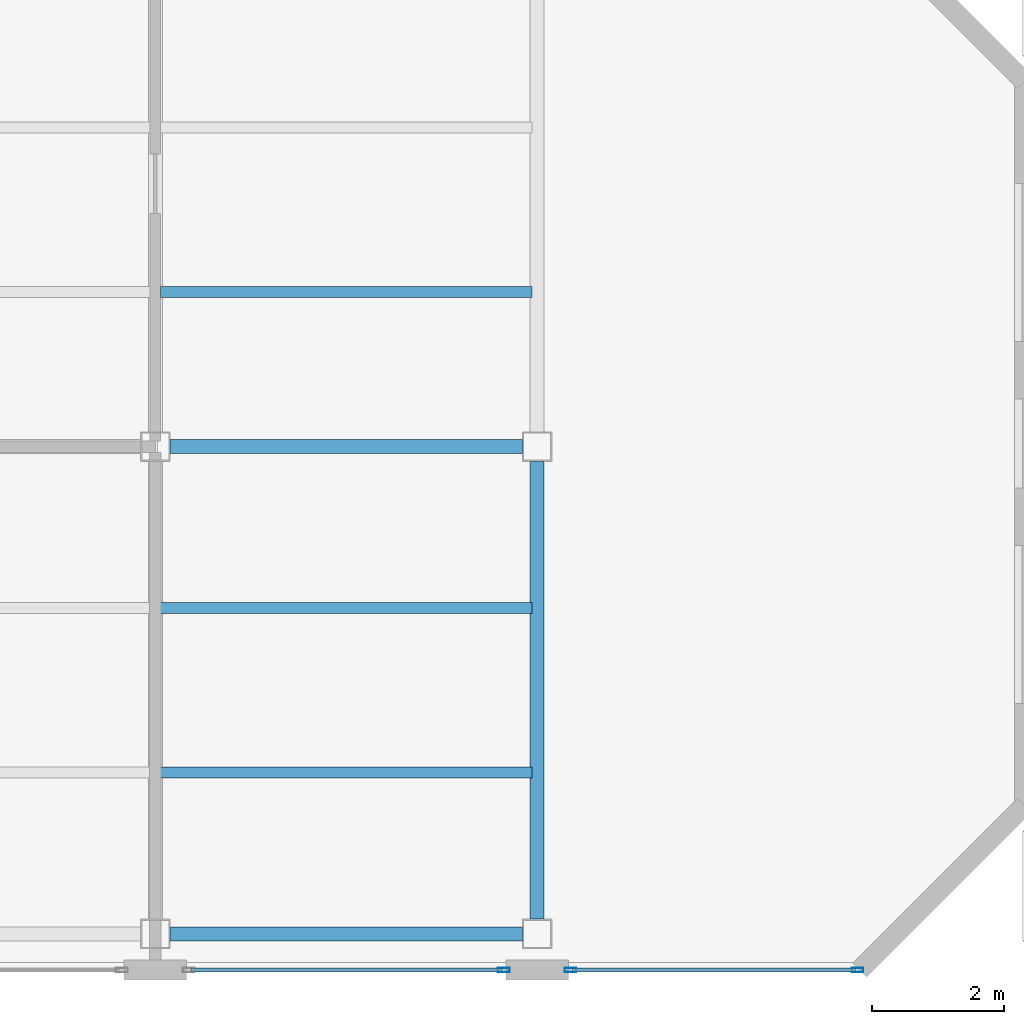
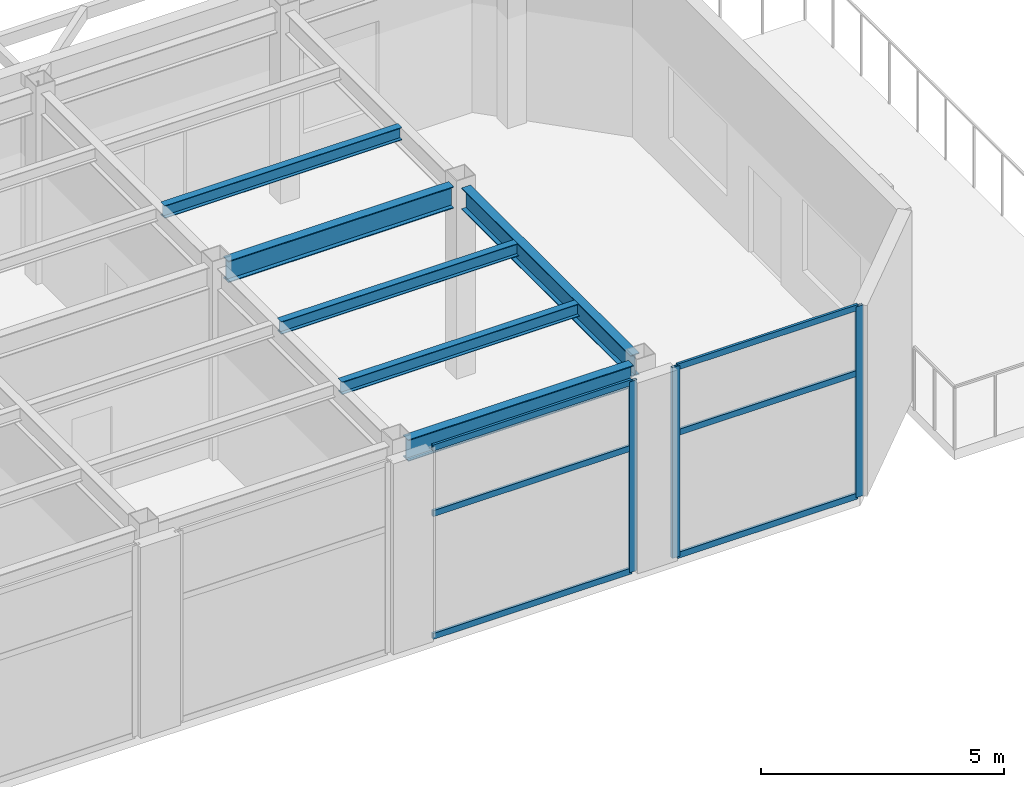
# One storey, part 8 of 16: 9 members, 6 beams, 2 elements without a shape of their own.
"""IFC4 building model written with IfcOpenShell, lengths in metres."""

from ifc_helpers import new_model, si_unit, direction, frame, origin, origin_2d, place, context, subcontext, project, spatial, hollow_rectangle, i_section, extrude, material, layer, layer_set, material_profile, profile_set, type_object, element, aggregate, save


model = new_model("IFC4")

# Units and contexts
model_context = context("Model", 3, precision=1e-05, world=origin(), true_north=direction((0.0, 1.0)))
body_context = subcontext(model_context, "Body", "Model", "MODEL_VIEW")
ifc_project = project(units=[si_unit("LENGTHUNIT", "METRE"), si_unit("AREAUNIT", "SQUARE_METRE"), si_unit("VOLUMEUNIT", "CUBIC_METRE"), si_unit("PLANEANGLEUNIT", "RADIAN"), si_unit("MASSUNIT", "GRAM", prefix="KILO")], contexts=[model_context])

# Site, building, storey
site_placement = place(None, origin())
site = spatial("IfcSite", under=ifc_project, at=site_placement, CompositionType="ELEMENT")
building_placement = place(site_placement, origin())
building = spatial("IfcBuilding", under=site, at=building_placement, Name="Mawjaban Terraces University", CompositionType="ELEMENT")
storey_placement = place(building_placement, frame((0.0, 0.0, 170.800048828125)))
storey = spatial("IfcBuildingStorey", under=building, at=storey_placement, Name="L41", CompositionType="ELEMENT", Elevation=170.800048828125)

# Beams
ifc_material_1 = material(Name="Steel ASTM A572 Grade 50", Category="steel")
ifc_material_profile_1 = material_profile(ifc_material_1, i_section(OverallWidth=0.2119140625, OverallDepth=0.5439453125, WebThickness=0.01318359375, FlangeThickness=0.021240234375, at=origin_2d()), Name="W530X123")
ifc_profile_set_1 = profile_set([ifc_material_profile_1], Name="Steel ASTM A572 Grade 50")
beam_type_1 = type_object("IfcBeamType", Name="Beam_B_W530X123", PredefinedType="BEAM", material=ifc_profile_set_1)
for number, where, z_axis, x_axis, name in (
    (1, (52.22509765625, 0.550048828125, 4.51806640625), (1.0, 0.0, 0.0), (0.0, 1.0, 0.0), "L41 Beam BM-L41-EW-03"),
    (2, (52.22509765625, 7.949951171875, 4.51806640625), (1.0, 0.0, 0.0), (0.0, 1.0, 0.0), "L41 Beam BM-L41-EW-06"),
):
    element("IfcBeam", number, at=place(storey_placement, frame(where, z_axis=z_axis, x_axis=x_axis)), inside=storey, type_object=beam_type_1, Name=name, PredefinedType="BEAM", context=body_context, shape_type="SweptSolid", body=[
        extrude(i_section(OverallWidth=0.2119140625, OverallDepth=0.5439453125, WebThickness=0.01318359375, FlangeThickness=0.021240234375, at=origin_2d()), origin(), (0.0, 0.0, 1.0), 5.349853515625),
    ])
beam_placement = place(storey_placement, frame((57.800048828125, 0.77490234375, 4.51806640625), z_axis=(0.0, 1.0, 0.0), x_axis=(-1.0, 0.0, 0.0)))
element("IfcBeam", 3, at=beam_placement, inside=storey, type_object=beam_type_1, Name="L41 Beam BM-L41-NS-14", PredefinedType="BEAM", context=body_context, shape_type="SweptSolid", body=[
    extrude(i_section(OverallWidth=0.2119140625, OverallDepth=0.5439453125, WebThickness=0.01318359375, FlangeThickness=0.021240234375, at=origin_2d()), origin(), (0.0, 0.0, 1.0), 6.9501953125),
])
ifc_material_profile_2 = material_profile(ifc_material_1, i_section(OverallWidth=0.1669921875, OverallDepth=0.318115234375, WebThickness=0.007568359375, FlangeThickness=0.01318359375, at=origin_2d()), Name="W310X52")
ifc_profile_set_2 = profile_set([ifc_material_profile_2], Name="Steel ASTM A572 Grade 50")
beam_type_2 = type_object("IfcBeamType", Name="Beam_J_W310X52", PredefinedType="JOIST", material=ifc_profile_set_2)
for number, where, z_axis, x_axis, name in (
    (4, (52.080078125, 3.0, 4.630859375), (1.0, 0.0, 0.0), (0.0, 1.0, 0.0), "L41 Composite Joist JST-L41-03"),
    (5, (52.080078125, 5.5, 4.630859375), (1.0, 0.0, 0.0), (0.0, 1.0, 0.0), "L41 Composite Joist JST-L41-06"),
    (6, (52.080078125, 10.300048828125, 4.630859375), (1.0, 0.0, 0.0), (0.0, 1.0, 0.0), "L41 Composite Joist JST-L41-09"),
):
    element("IfcBeam", number, at=place(storey_placement, frame(where, z_axis=z_axis, x_axis=x_axis)), inside=storey, type_object=beam_type_2, Name=name, PredefinedType="JOIST", context=body_context, shape_type="SweptSolid", body=[
        extrude(i_section(OverallWidth=0.1669921875, OverallDepth=0.318115234375, WebThickness=0.007568359375, FlangeThickness=0.01318359375, at=origin_2d()), origin(), (0.0, 0.0, 1.0), 5.639892578125),
    ])

# Curtain wall, member
ifc_material_2 = material(Name="Anodised aluminium 6063-T6 and solar-control low-E glass", Category="aluminium")
ifc_layer = layer(ifc_material_2, 0.18994140625)
ifc_layer_set = layer_set([ifc_layer], Name="Anodised aluminium 6063-T6 and solar-control low-E glass")
curtain_wall_type = type_object("IfcCurtainWallType", Name="CWSystem_05_SkyLobby", PredefinedType="NOTDEFINED", material=ifc_layer_set)
curtain_wall_1_placement = place(storey_placement, origin())
curtain_wall_1 = element("IfcCurtainWall", 7, at=curtain_wall_1_placement, inside=storey, type_object=curtain_wall_type, Name="L41 Curtain Wall CW-05 Run 1.4", PredefinedType="NOTDEFINED")
ifc_material_3 = material(Name="Anodised aluminium 6063-T6", Category="aluminium")
ifc_material_profile_3 = material_profile(ifc_material_3, hollow_rectangle(XDim=0.06494140625, YDim=0.179931640625, WallThickness=0.00390625, at=origin_2d()), Name="ALU180X65X4")
ifc_profile_set_3 = profile_set([ifc_material_profile_3], Name="Anodised aluminium 6063-T6")
member_type_1 = type_object("IfcMemberType", Name="Mullion_CW-05", PredefinedType="MULLION", material=ifc_profile_set_3)
member_1_placement = place(storey_placement, frame((57.29248046875, 0.0, 0.0), z_axis=(0.0, 0.0, 1.0), x_axis=(0.0, 1.0, 0.0)))
member_1 = element("IfcMember", 8, at=member_1_placement, type_object=member_type_1, Name="CW-05 mullion 2", PredefinedType="MULLION", context=body_context, shape_type="SweptSolid", body=[
    extrude(hollow_rectangle(XDim=0.06494140625, YDim=0.179931640625, WallThickness=0.00390625, at=origin_2d()), origin(), (0.0, 0.0, 1.0), 4.7900390625),
])

# Curtain wall, members
curtain_wall_2_placement = place(storey_placement, origin())
curtain_wall_2 = element("IfcCurtainWall", 9, at=curtain_wall_2_placement, inside=storey, type_object=curtain_wall_type, Name="L41 Curtain Wall CW-05 Run 1.5", PredefinedType="NOTDEFINED")
member_2_placement = place(storey_placement, frame((58.3076171875, 0.0, 0.0), z_axis=(0.0, 0.0, 1.0), x_axis=(0.0, 1.0, 0.0)))
member_2 = element("IfcMember", 10, at=member_2_placement, type_object=member_type_1, Name="CW-05 mullion 1", PredefinedType="MULLION", context=body_context, shape_type="SweptSolid", body=[
    extrude(hollow_rectangle(XDim=0.06494140625, YDim=0.179931640625, WallThickness=0.00390625, at=origin_2d()), origin(), (0.0, 0.0, 1.0), 4.7900390625),
])
member_3_placement = place(storey_placement, frame((62.66748046875, 0.0, 0.0), z_axis=(0.0, 0.0, 1.0), x_axis=(0.0, 1.0, 0.0)))
member_3 = element("IfcMember", 11, at=member_3_placement, type_object=member_type_1, Name="CW-05 mullion 2", PredefinedType="MULLION", context=body_context, shape_type="SweptSolid", body=[
    extrude(hollow_rectangle(XDim=0.06494140625, YDim=0.179931640625, WallThickness=0.00390625, at=origin_2d()), origin(), (0.0, 0.0, 1.0), 4.7900390625),
])

# Member
ifc_material_profile_4 = material_profile(ifc_material_3, hollow_rectangle(XDim=0.06005859375, YDim=0.14990234375, WallThickness=0.00390625, at=origin_2d()), Name="ALU150X60X4")
ifc_profile_set_4 = profile_set([ifc_material_profile_4], Name="Anodised aluminium 6063-T6")
member_type_2 = type_object("IfcMemberType", Name="Transom_CW-05", PredefinedType="NOTDEFINED", material=ifc_profile_set_4)
member_4_placement = place(storey_placement, frame((52.5400390625, 0.0, 0.030029296875), z_axis=(1.0, 0.0, 0.0), x_axis=(0.0, 1.0, 0.0)))
member_4 = element("IfcMember", 12, at=member_4_placement, type_object=member_type_2, Name="CW-05 transom 1.1", ObjectType="TRANSOM", PredefinedType="USERDEFINED", context=body_context, shape_type="SweptSolid", body=[
    extrude(hollow_rectangle(XDim=0.06005859375, YDim=0.14990234375, WallThickness=0.00390625, at=origin_2d()), origin(), (0.0, 0.0, 1.0), 4.719970703125),
])

member_5_placement = place(storey_placement, frame((52.5400390625, 0.0, 3.113037109375), z_axis=(1.0, 0.0, 0.0), x_axis=(0.0, 1.0, 0.0)))
member_5 = element("IfcMember", 13, at=member_5_placement, type_object=member_type_2, Name="CW-05 transom 1.2", ObjectType="TRANSOM", PredefinedType="USERDEFINED", context=body_context, shape_type="SweptSolid", body=[
    extrude(hollow_rectangle(XDim=0.06005859375, YDim=0.14990234375, WallThickness=0.00390625, at=origin_2d()), origin(), (0.0, 0.0, 1.0), 4.719970703125),
])

member_6_placement = place(storey_placement, frame((52.5400390625, 0.0, 4.760009765625), z_axis=(1.0, 0.0, 0.0), x_axis=(0.0, 1.0, 0.0)))
member_6 = element("IfcMember", 14, at=member_6_placement, type_object=member_type_2, Name="CW-05 transom 1.3", ObjectType="TRANSOM", PredefinedType="USERDEFINED", context=body_context, shape_type="SweptSolid", body=[
    extrude(hollow_rectangle(XDim=0.06005859375, YDim=0.14990234375, WallThickness=0.00390625, at=origin_2d()), origin(), (0.0, 0.0, 1.0), 4.719970703125),
])

aggregate(curtain_wall_1, [member_1, member_4, member_5, member_6])

member_7_placement = place(storey_placement, frame((58.340087890625, 0.0, 0.030029296875), z_axis=(1.0, 0.0, 0.0), x_axis=(0.0, 1.0, 0.0)))
member_7 = element("IfcMember", 15, at=member_7_placement, type_object=member_type_2, Name="CW-05 transom 1.1", ObjectType="TRANSOM", PredefinedType="USERDEFINED", context=body_context, shape_type="SweptSolid", body=[
    extrude(hollow_rectangle(XDim=0.06005859375, YDim=0.14990234375, WallThickness=0.00390625, at=origin_2d()), origin(), (0.0, 0.0, 1.0), 4.294921875),
])

member_8_placement = place(storey_placement, frame((58.340087890625, 0.0, 3.113037109375), z_axis=(1.0, 0.0, 0.0), x_axis=(0.0, 1.0, 0.0)))
member_8 = element("IfcMember", 16, at=member_8_placement, type_object=member_type_2, Name="CW-05 transom 1.2", ObjectType="TRANSOM", PredefinedType="USERDEFINED", context=body_context, shape_type="SweptSolid", body=[
    extrude(hollow_rectangle(XDim=0.06005859375, YDim=0.14990234375, WallThickness=0.00390625, at=origin_2d()), origin(), (0.0, 0.0, 1.0), 4.294921875),
])

member_9_placement = place(storey_placement, frame((58.340087890625, 0.0, 4.760009765625), z_axis=(1.0, 0.0, 0.0), x_axis=(0.0, 1.0, 0.0)))
member_9 = element("IfcMember", 17, at=member_9_placement, type_object=member_type_2, Name="CW-05 transom 1.3", ObjectType="TRANSOM", PredefinedType="USERDEFINED", context=body_context, shape_type="SweptSolid", body=[
    extrude(hollow_rectangle(XDim=0.06005859375, YDim=0.14990234375, WallThickness=0.00390625, at=origin_2d()), origin(), (0.0, 0.0, 1.0), 4.294921875),
])

aggregate(curtain_wall_2, [member_2, member_3, member_7, member_8, member_9])

save(model, "model.ifc")
